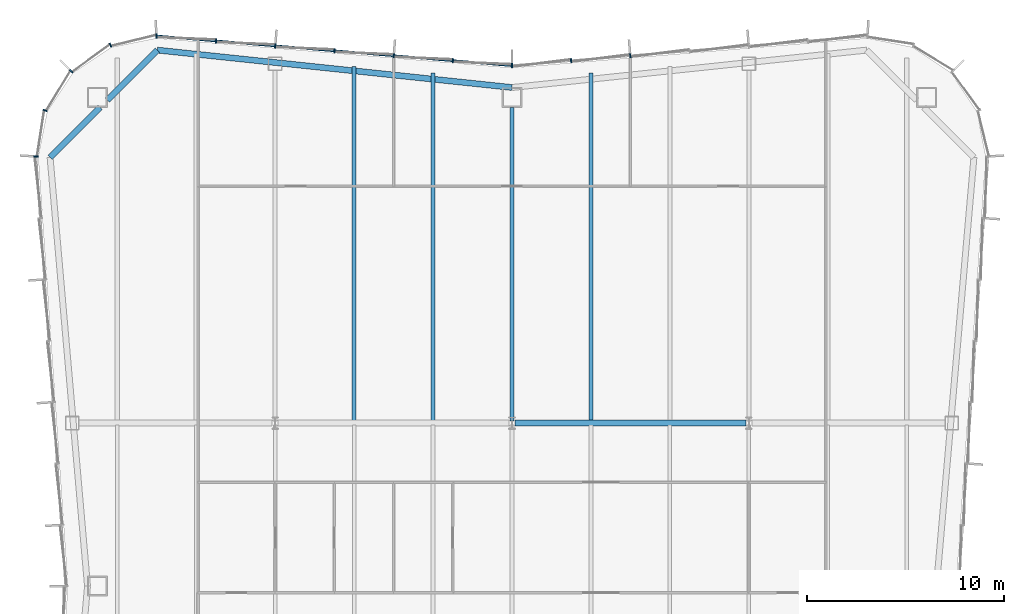
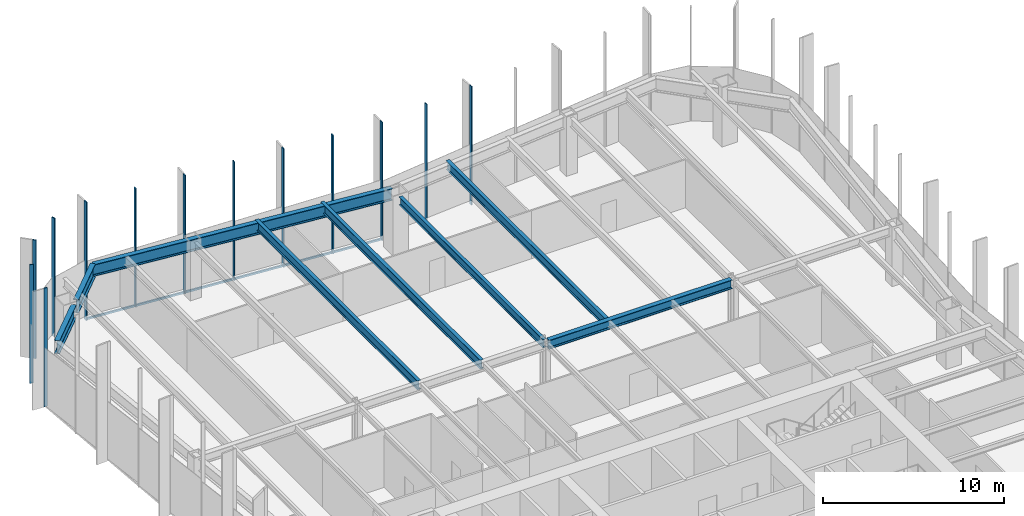
# One storey, part 6 of 13: 14 members, 8 beams, 3 elements without a shape of their own.
"""IFC4 building model written with IfcOpenShell, lengths in metres."""

from ifc_helpers import new_model, si_unit, direction, frame, origin, origin_2d, place, context, subcontext, project, spatial, rectangle, i_section, extrude, material, material_profile, profile_set, type_object, element, aggregate, save


model = new_model("IFC4")

# Units and contexts
model_context = context("Model", 3, precision=1e-05, world=origin(), true_north=direction((0.0, 1.0)))
body_context = subcontext(model_context, "Body", "Model", "MODEL_VIEW")
ifc_project = project(units=[si_unit("LENGTHUNIT", "METRE"), si_unit("AREAUNIT", "SQUARE_METRE"), si_unit("VOLUMEUNIT", "CUBIC_METRE"), si_unit("PLANEANGLEUNIT", "RADIAN"), si_unit("MASSUNIT", "GRAM", prefix="KILO")], contexts=[model_context])

# Site, building, storey
site_placement = place(None, origin())
site = spatial("IfcSite", under=ifc_project, at=site_placement, CompositionType="ELEMENT")
building_placement = place(site_placement, origin())
building = spatial("IfcBuilding", under=site, at=building_placement, Name="Verdant Reach Tower", CompositionType="ELEMENT")
storey_placement = place(building_placement, frame((0.0, 0.0, 218.0)))
storey = spatial("IfcBuildingStorey", under=building, at=storey_placement, Name="L50", CompositionType="ELEMENT", Elevation=218.0)

# Curtain wall, members
ifc_material_1 = material(Name="Anodised aluminium", Category="aluminium")
curtain_wall_type = type_object("IfcCurtainWallType", Name="EN-CW SYSTEM Z3", PredefinedType="NOTDEFINED", material=ifc_material_1)
curtain_wall_1_placement = place(storey_placement, origin())
curtain_wall_1 = element("IfcCurtainWall", 1, at=curtain_wall_1_placement, inside=storey, type_object=curtain_wall_type, Name="Curtain wall north, L50", PredefinedType="NOTDEFINED")
ifc_material_profile_1 = material_profile(ifc_material_1, rectangle(XDim=0.218017578125, YDim=0.06591796875, at=origin_2d()), Name="Mullion 66x218")
ifc_profile_set_1 = profile_set([ifc_material_profile_1], Name="Anodised aluminium")
member_type_1 = type_object("IfcMemberType", Name="EN-MULLION Z3", PredefinedType="MULLION", material=ifc_profile_set_1)
member_1_placement = place(storey_placement, frame((5.990966796875, 68.108642578125, -0.35009765625), z_axis=(0.0, 0.0, 1.0), x_axis=(-0.083045479859, 0.996545758244, 0.0)))
member_1 = element("IfcMember", 2, at=member_1_placement, type_object=member_type_1, Name="Mullion north face part 1 5, L50", PredefinedType="MULLION", context=body_context, shape_type="SweptSolid", body=[
    extrude(rectangle(XDim=0.218017578125, YDim=0.06591796875, at=origin_2d()), origin(), (0.0, 0.0, 1.0), 8.0),
])
member_2_placement = place(storey_placement, frame((2.990966796875, 67.858642578125, -0.35009765625), z_axis=(0.0, 0.0, 1.0), x_axis=(-0.083045479859, 0.996545758244, 0.0)))
member_2 = element("IfcMember", 3, at=member_2_placement, type_object=member_type_1, Name="Mullion north face part 1 6, L50", PredefinedType="MULLION", context=body_context, shape_type="SweptSolid", body=[
    extrude(rectangle(XDim=0.218017578125, YDim=0.06591796875, at=origin_2d()), origin(), (0.0, 0.0, 1.0), 8.0),
])
member_3_placement = place(storey_placement, frame((0.0, 67.60888671875, -0.35009765625), z_axis=(0.0, 0.0, 1.0), x_axis=(0.0, 1.0, 0.0)))
member_3 = element("IfcMember", 4, at=member_3_placement, type_object=member_type_1, Name="Mullion north face part 2 1, L50", PredefinedType="MULLION", context=body_context, shape_type="SweptSolid", body=[
    extrude(rectangle(XDim=0.218017578125, YDim=0.06591796875, at=origin_2d()), origin(), (0.0, 0.0, 1.0), 8.0),
])
member_4_placement = place(storey_placement, frame((-2.990966796875, 67.858642578125, -0.35009765625), z_axis=(0.0, 0.0, 1.0), x_axis=(0.083045479859, 0.996545758244, 0.0)))
member_4 = element("IfcMember", 5, at=member_4_placement, type_object=member_type_1, Name="Mullion north face part 2 2, L50", PredefinedType="MULLION", context=body_context, shape_type="SweptSolid", body=[
    extrude(rectangle(XDim=0.218017578125, YDim=0.06591796875, at=origin_2d()), origin(), (0.0, 0.0, 1.0), 8.0),
])
member_5_placement = place(storey_placement, frame((-5.990966796875, 68.108642578125, -0.35009765625), z_axis=(0.0, 0.0, 1.0), x_axis=(0.083045479859, 0.996545758244, 0.0)))
member_5 = element("IfcMember", 6, at=member_5_placement, type_object=member_type_1, Name="Mullion north face part 2 3, L50", PredefinedType="MULLION", context=body_context, shape_type="SweptSolid", body=[
    extrude(rectangle(XDim=0.218017578125, YDim=0.06591796875, at=origin_2d()), origin(), (0.0, 0.0, 1.0), 8.0),
])
member_6_placement = place(storey_placement, frame((-8.990966796875, 68.358642578125, -0.35009765625), z_axis=(0.0, 0.0, 1.0), x_axis=(0.083045479859, 0.996545758244, 0.0)))
member_6 = element("IfcMember", 7, at=member_6_placement, type_object=member_type_1, Name="Mullion north face part 2 4, L50", PredefinedType="MULLION", context=body_context, shape_type="SweptSolid", body=[
    extrude(rectangle(XDim=0.218017578125, YDim=0.06591796875, at=origin_2d()), origin(), (0.0, 0.0, 1.0), 8.0),
])
member_7_placement = place(storey_placement, frame((-11.990966796875, 68.608642578125, -0.35009765625), z_axis=(0.0, 0.0, 1.0), x_axis=(0.083045479859, 0.996545758244, 0.0)))
member_7 = element("IfcMember", 8, at=member_7_placement, type_object=member_type_1, Name="Mullion north face part 2 5, L50", PredefinedType="MULLION", context=body_context, shape_type="SweptSolid", body=[
    extrude(rectangle(XDim=0.218017578125, YDim=0.06591796875, at=origin_2d()), origin(), (0.0, 0.0, 1.0), 8.0),
])
member_8_placement = place(storey_placement, frame((-14.990966796875, 68.858642578125, -0.35009765625), z_axis=(0.0, 0.0, 1.0), x_axis=(0.083045479859, 0.996545758244, 0.0)))
member_8 = element("IfcMember", 9, at=member_8_placement, type_object=member_type_1, Name="Mullion north face part 2 6, L50", PredefinedType="MULLION", context=body_context, shape_type="SweptSolid", body=[
    extrude(rectangle(XDim=0.218017578125, YDim=0.06591796875, at=origin_2d()), origin(), (0.0, 0.0, 1.0), 8.0),
])

curtain_wall_2_placement = place(storey_placement, origin())
curtain_wall_2 = element("IfcCurtainWall", 10, at=curtain_wall_2_placement, inside=storey, type_object=curtain_wall_type, Name="Curtain wall north-west corner, L50", PredefinedType="NOTDEFINED")
member_9_placement = place(storey_placement, frame((-18.006103515625, 69.10888671875, -0.35009765625), z_axis=(0.0, 0.0, 1.0), x_axis=(-0.056569187765, 0.998398681387, 0.0)))
member_9 = element("IfcMember", 11, at=member_9_placement, type_object=member_type_1, Name="Mullion north-west corner 1, L50", PredefinedType="MULLION", context=body_context, shape_type="SweptSolid", body=[
    extrude(rectangle(XDim=0.218017578125, YDim=0.06591796875, at=origin_2d()), origin(), (0.0, 0.0, 1.0), 8.0),
])
member_10_placement = place(storey_placement, frame((-20.337890625, 68.64404296875, -0.35009765625), z_axis=(0.0, 0.0, 1.0), x_axis=(-0.382693853776, 0.923875215753, 0.0)))
member_10 = element("IfcMember", 12, at=member_10_placement, type_object=member_type_1, Name="Mullion north-west corner 2, L50", PredefinedType="MULLION", context=body_context, shape_type="SweptSolid", body=[
    extrude(rectangle(XDim=0.218017578125, YDim=0.06591796875, at=origin_2d()), origin(), (0.0, 0.0, 1.0), 8.0),
])
member_11_placement = place(storey_placement, frame((-22.319580078125, 67.319580078125, -0.35009765625), z_axis=(0.0, 0.0, 1.0), x_axis=(-0.707106781187, 0.707106781187, 0.0)))
member_11 = element("IfcMember", 13, at=member_11_placement, type_object=member_type_1, Name="Mullion north-west corner 3, L50", PredefinedType="MULLION", context=body_context, shape_type="SweptSolid", body=[
    extrude(rectangle(XDim=0.218017578125, YDim=0.06591796875, at=origin_2d()), origin(), (0.0, 0.0, 1.0), 8.0),
])
member_12_placement = place(storey_placement, frame((-23.64404296875, 65.337890625, -0.35009765625), z_axis=(0.0, 0.0, 1.0), x_axis=(-0.923875215753, 0.382693853776, 0.0)))
member_12 = element("IfcMember", 14, at=member_12_placement, type_object=member_type_1, Name="Mullion north-west corner 4, L50", PredefinedType="MULLION", context=body_context, shape_type="SweptSolid", body=[
    extrude(rectangle(XDim=0.218017578125, YDim=0.06591796875, at=origin_2d()), origin(), (0.0, 0.0, 1.0), 8.0),
])
aggregate(curtain_wall_2, [member_9, member_10, member_11, member_12])

# Curtain wall, member
curtain_wall_3_placement = place(storey_placement, origin())
curtain_wall_3 = element("IfcCurtainWall", 15, at=curtain_wall_3_placement, inside=storey, type_object=curtain_wall_type, Name="Curtain wall west, L50", PredefinedType="NOTDEFINED")
member_13_placement = place(storey_placement, frame((-24.10888671875, 63.0068359375, -0.35009765625), z_axis=(0.0, 0.0, 1.0), x_axis=(-0.997969180898, 0.063698618332, 0.0)))
member_13 = element("IfcMember", 16, at=member_13_placement, type_object=member_type_1, Name="Mullion west face part 1 1, L50", PredefinedType="MULLION", context=body_context, shape_type="SweptSolid", body=[
    extrude(rectangle(XDim=0.218017578125, YDim=0.06591796875, at=origin_2d()), origin(), (0.0, 0.0, 1.0), 8.0),
])
aggregate(curtain_wall_3, [member_13])

# Member
ifc_material_profile_2 = material_profile(ifc_material_1, rectangle(XDim=0.10009765625, YDim=0.1259765625, at=origin_2d()), Name="Transom 126x100")
ifc_profile_set_2 = profile_set([ifc_material_profile_2], Name="Anodised aluminium")
member_type_2 = type_object("IfcMemberType", Name="EN-TRANSOM Z3", PredefinedType="USERDEFINED", material=ifc_profile_set_2)
member_14_placement = place(storey_placement, frame((-0.032958984375, 67.61181640625, -0.287109375), z_axis=(-0.996548750467, 0.083009565369, 0.0), x_axis=(-0.083009565369, -0.996548750467, 0.0)))
member_14 = element("IfcMember", 17, at=member_14_placement, type_object=member_type_2, Name="Transom north face part 2 1.1, L50", ObjectType="TRANSOM", PredefinedType="USERDEFINED", context=body_context, shape_type="SweptSolid", body=[
    extrude(rectangle(XDim=0.10009765625, YDim=0.1259765625, at=origin_2d()), origin(), (0.0, 0.0, 1.0), 18.00244140625),
])

aggregate(curtain_wall_1, [member_1, member_2, member_3, member_4, member_5, member_6, member_7, member_8, member_14])

# Beams
ifc_material_2 = material(Name="Steel S355", Category="steel")
ifc_material_profile_3 = material_profile(ifc_material_2, i_section(OverallWidth=0.300048828125, OverallDepth=0.60009765625, WebThickness=0.015380859375, FlangeThickness=0.030029296875, FilletRadius=0.027099609375, at=origin_2d()), Name="HEB 600")
ifc_profile_set_3 = profile_set([ifc_material_profile_3], Name="Steel S355")
beam_type_1 = type_object("IfcBeamType", Name="ST-BEAM-HEB600", PredefinedType="BEAM", material=ifc_profile_set_3)
beam_1_placement = place(storey_placement, frame((0.152587890625, 49.5, 3.570068359375), z_axis=(1.0, 0.0, 0.0), x_axis=(0.0, 1.0, 0.0)))
element("IfcBeam", 18, at=beam_1_placement, inside=storey, type_object=beam_type_1, Name="Row girder, L50", PredefinedType="BEAM", context=body_context, shape_type="SweptSolid", body=[
    extrude(i_section(OverallWidth=0.300048828125, OverallDepth=0.60009765625, WebThickness=0.015380859375, FlangeThickness=0.030029296875, FilletRadius=0.027099609375, at=origin_2d()), origin(), (0.0, 0.0, 1.0), 11.69482421875),
])
ifc_material_profile_4 = material_profile(ifc_material_2, i_section(OverallWidth=0.2099609375, OverallDepth=0.550048828125, WebThickness=0.010986328125, FlangeThickness=0.01708984375, FilletRadius=0.02392578125, at=origin_2d()), Name="IPE 550")
ifc_profile_set_4 = profile_set([ifc_material_profile_4], Name="Steel S355")
beam_type_2 = type_object("IfcBeamType", Name="ST-JOIST-IPE550", PredefinedType="JOIST", material=ifc_profile_set_4)
beam_2_placement = place(storey_placement, frame((0.0, 49.60009765625, 3.594970703125), z_axis=(0.0, 1.0, 0.0), x_axis=(-1.0, 0.0, 0.0)))
element("IfcBeam", 19, at=beam_2_placement, inside=storey, type_object=beam_type_2, Name="Floor joist, L50", PredefinedType="JOIST", context=body_context, shape_type="SweptSolid", body=[
    extrude(i_section(OverallWidth=0.2099609375, OverallDepth=0.550048828125, WebThickness=0.010986328125, FlangeThickness=0.01708984375, FilletRadius=0.02392578125, at=origin_2d()), origin(), (0.0, 0.0, 1.0), 15.89990234375),
])
ifc_material_profile_5 = material_profile(ifc_material_2, i_section(OverallWidth=0.219970703125, OverallDepth=0.60009765625, WebThickness=0.011962890625, FlangeThickness=0.01904296875, FilletRadius=0.02392578125, at=origin_2d()), Name="IPE 600")
ifc_profile_set_5 = profile_set([ifc_material_profile_5], Name="Steel S355")
beam_type_3 = type_object("IfcBeamType", Name="ST-JOIST-IPE600", PredefinedType="JOIST", material=ifc_profile_set_5)
beam_3_placement = place(storey_placement, frame((-8.0, 49.60009765625, 3.570068359375), z_axis=(0.0, 1.0, 0.0), x_axis=(-1.0, 0.0, 0.0)))
element("IfcBeam", 20, at=beam_3_placement, inside=storey, type_object=beam_type_3, Name="Floor joist, L50", PredefinedType="JOIST", context=body_context, shape_type="SweptSolid", body=[
    extrude(i_section(OverallWidth=0.219970703125, OverallDepth=0.60009765625, WebThickness=0.011962890625, FlangeThickness=0.01904296875, FilletRadius=0.02392578125, at=origin_2d()), origin(), (0.0, 0.0, 1.0), 17.964599609375),
])
for number, where, z_axis, x_axis, name in (
    (21, (-4.0, 49.60009765625, 3.570068359375), (0.0, 1.0, 0.0), (-1.0, 0.0, 0.0), "Floor joist, L50"),
    (22, (4.0, 49.60009765625, 3.570068359375), (0.0, 1.0, 0.0), (-1.0, 0.0, 0.0), "Floor joist, L50"),
):
    element("IfcBeam", number, at=place(storey_placement, frame(where, z_axis=z_axis, x_axis=x_axis)), inside=storey, type_object=beam_type_3, Name=name, PredefinedType="JOIST", context=body_context, shape_type="SweptSolid", body=[
        extrude(i_section(OverallWidth=0.219970703125, OverallDepth=0.60009765625, WebThickness=0.011962890625, FlangeThickness=0.01904296875, FilletRadius=0.02392578125, at=origin_2d()), origin(), (0.0, 0.0, 1.0), 17.631103515625),
    ])
ifc_material_profile_6 = material_profile(ifc_material_2, i_section(OverallWidth=0.300048828125, OverallDepth=0.800048828125, WebThickness=0.017578125, FlangeThickness=0.032958984375, FilletRadius=0.030029296875, at=origin_2d()), Name="HEB 800")
ifc_profile_set_6 = profile_set([ifc_material_profile_6], Name="Steel S355")
beam_type_4 = type_object("IfcBeamType", Name="ST-SPANDREL-HEB800", PredefinedType="SPANDREL", material=ifc_profile_set_6)
beam_4_placement = place(storey_placement, frame((-17.9658203125, 68.39501953125, 3.469970703125), z_axis=(0.994483067002, -0.104897232783, 0.0), x_axis=(0.104897232783, 0.994483067002, 0.0)))
element("IfcBeam", 23, at=beam_4_placement, inside=storey, type_object=beam_type_4, Name="Edge beam, L50", PredefinedType="SPANDREL", context=body_context, shape_type="SweptSolid", body=[
    extrude(i_section(OverallWidth=0.300048828125, OverallDepth=0.800048828125, WebThickness=0.017578125, FlangeThickness=0.032958984375, FilletRadius=0.030029296875, at=origin_2d()), origin(), (0.0, 0.0, 1.0), 18.0654296875),
])
ifc_material_profile_7 = material_profile(ifc_material_2, i_section(OverallWidth=0.302001953125, OverallDepth=0.909912109375, WebThickness=0.02099609375, FlangeThickness=0.0400390625, FilletRadius=0.030029296875, at=origin_2d()), Name="HEM 900")
ifc_profile_set_7 = profile_set([ifc_material_profile_7], Name="Steel S355")
beam_type_5 = type_object("IfcBeamType", Name="ST-SPANDREL-HEM900", PredefinedType="SPANDREL", material=ifc_profile_set_7)
beam_5_placement = place(storey_placement, frame((-23.39599609375, 62.96142578125, 3.4150390625), z_axis=(0.706902680526, 0.707310822952, 0.0), x_axis=(-0.707310822952, 0.706902680526, 0.0)))
element("IfcBeam", 24, at=beam_5_placement, inside=storey, type_object=beam_type_5, Name="Edge beam, L50", PredefinedType="SPANDREL", context=body_context, shape_type="SweptSolid", body=[
    extrude(i_section(OverallWidth=0.302001953125, OverallDepth=0.909912109375, WebThickness=0.02099609375, FlangeThickness=0.0400390625, FilletRadius=0.030029296875, at=origin_2d()), origin(), (0.0, 0.0, 1.0), 3.589111328125),
])
beam_6_placement = place(storey_placement, frame((-20.5, 65.859130859375, 3.4150390625), z_axis=(0.706868394255, 0.707345087777, 0.0), x_axis=(-0.707345087777, 0.706868394255, 0.0)))
element("IfcBeam", 25, at=beam_6_placement, inside=storey, type_object=beam_type_5, Name="Edge beam, L50", PredefinedType="SPANDREL", context=body_context, shape_type="SweptSolid", body=[
    extrude(i_section(OverallWidth=0.302001953125, OverallDepth=0.909912109375, WebThickness=0.02099609375, FlangeThickness=0.0400390625, FilletRadius=0.030029296875, at=origin_2d()), origin(), (0.0, 0.0, 1.0), 3.5849609375),
])

save(model, "model.ifc")
